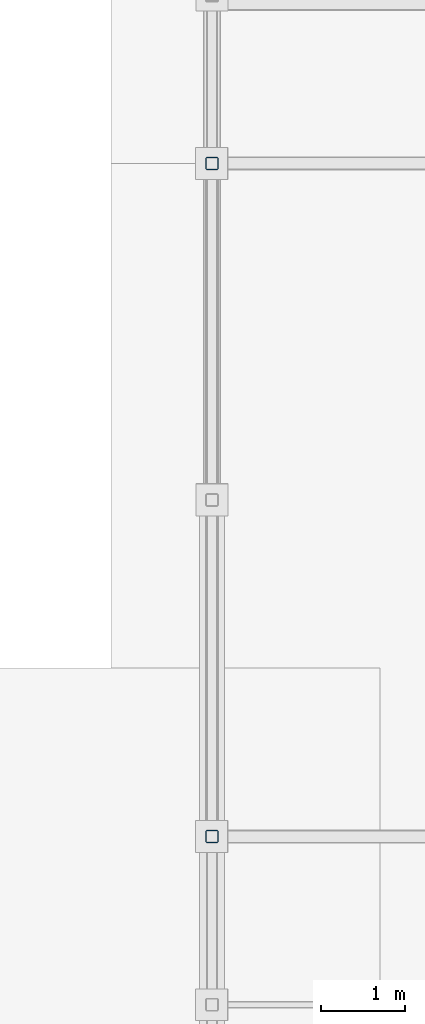
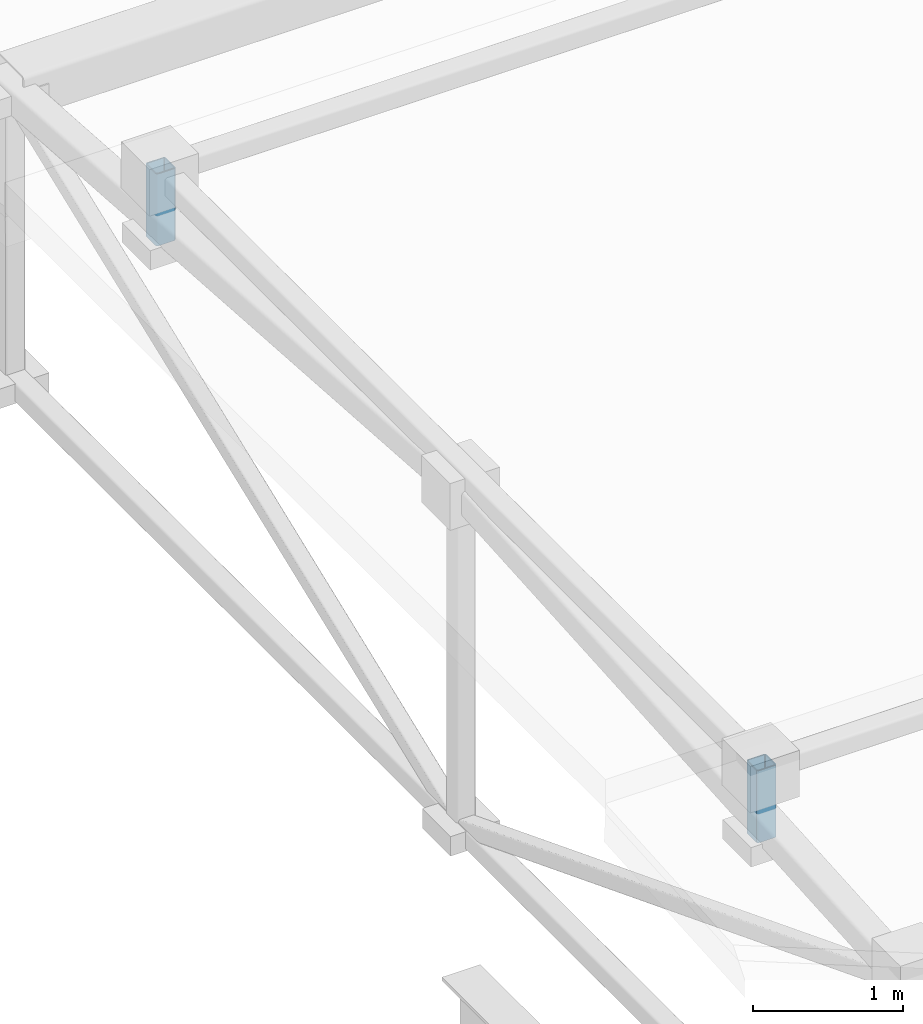
# One storey, part 58 of 85: 2 members.
"""IFC4 building model written with IfcOpenShell, lengths in metres."""

from ifc_helpers import new_model, si_unit, direction, frame, origin, origin_2d, place, context, subcontext, project, spatial, hollow_rectangle, extrude, material, material_profile, profile_set, type_object, element, save


model = new_model("IFC4")

# Units and contexts
model_context = context("Model", 3, precision=1e-05, world=origin(), true_north=direction((0.0, 1.0)))
body_context = subcontext(model_context, "Body", "Model", "MODEL_VIEW")
ifc_project = project(units=[si_unit("LENGTHUNIT", "METRE"), si_unit("AREAUNIT", "SQUARE_METRE"), si_unit("VOLUMEUNIT", "CUBIC_METRE"), si_unit("PLANEANGLEUNIT", "RADIAN"), si_unit("MASSUNIT", "GRAM", prefix="KILO"), si_unit("THERMODYNAMICTEMPERATUREUNIT", "KELVIN"), si_unit("POWERUNIT", "WATT")], contexts=[model_context])

# Site, building, storey
site_placement = place(None, origin())
site = spatial("IfcSite", under=ifc_project, at=site_placement, CompositionType="ELEMENT")
building_placement = place(site_placement, origin())
building = spatial("IfcBuilding", under=site, at=building_placement, Name="Zelmaris Science Centre", CompositionType="ELEMENT")
storey_placement = place(building_placement, frame((0.0, 0.0, 20.39990234375)))
storey = spatial("IfcBuildingStorey", under=building, at=storey_placement, Name="L04", CompositionType="ELEMENT", Elevation=20.39990234375)

# Members
ifc_material = material(Name="Steel ASTM A500 Grade C", Category="steel")
ifc_material_profile = material_profile(ifc_material, hollow_rectangle(XDim=0.15234375, YDim=0.15234375, WallThickness=0.0087890625, InnerFilletRadius=0.0087890625, OuterFilletRadius=0.017822265625, at=origin_2d()), Name="HSS152X152X10")
ifc_profile_set = profile_set([ifc_material_profile], Name="Steel ASTM A500 Grade C")
member_type = type_object("IfcMemberType", Name="Structural Brace BR-03 HSS152X152X10", PredefinedType="BRACE", material=ifc_profile_set)
for number, where, z_axis, x_axis, name in (
    (1, (108.0, 28.0, 3.284423828125), (0.0, 0.0, 1.0), (1.0, 0.0, 0.0), "RF-V4 Lantern curb post S 108"),
    (2, (108.0, 36.0, 3.284423828125), (0.0, 0.0, 1.0), (1.0, 0.0, 0.0), "RF-V4 Lantern curb post N 108"),
):
    element("IfcMember", number, at=place(storey_placement, frame(where, z_axis=z_axis, x_axis=x_axis)), inside=storey, type_object=member_type, Name=name, PredefinedType="BRACE", context=body_context, shape_type="SweptSolid", body=[
        extrude(hollow_rectangle(XDim=0.15234375, YDim=0.15234375, WallThickness=0.0087890625, InnerFilletRadius=0.0087890625, OuterFilletRadius=0.017822265625, at=origin_2d()), origin(), (0.0, 0.0, 1.0), 0.585693359375),
    ])

save(model, "model.ifc")
